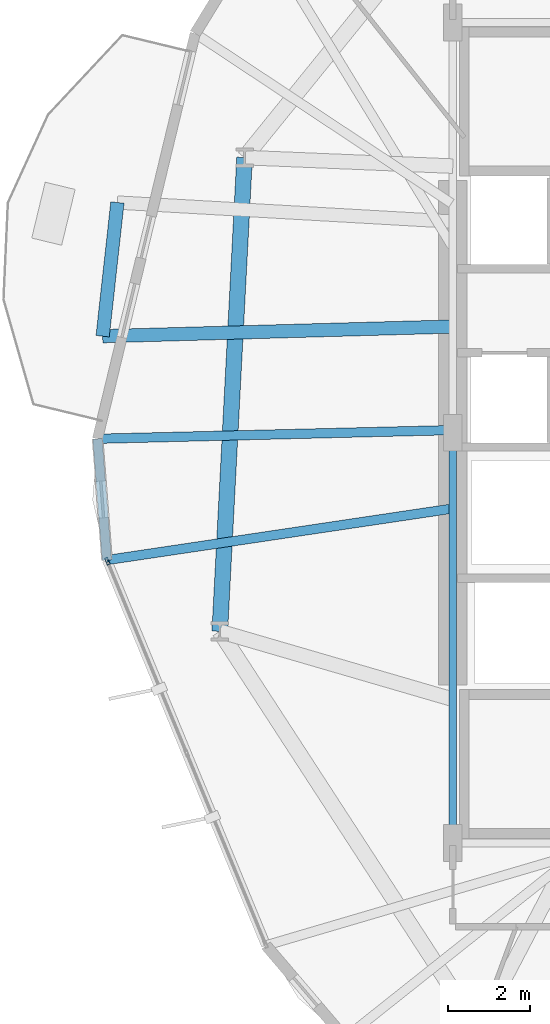
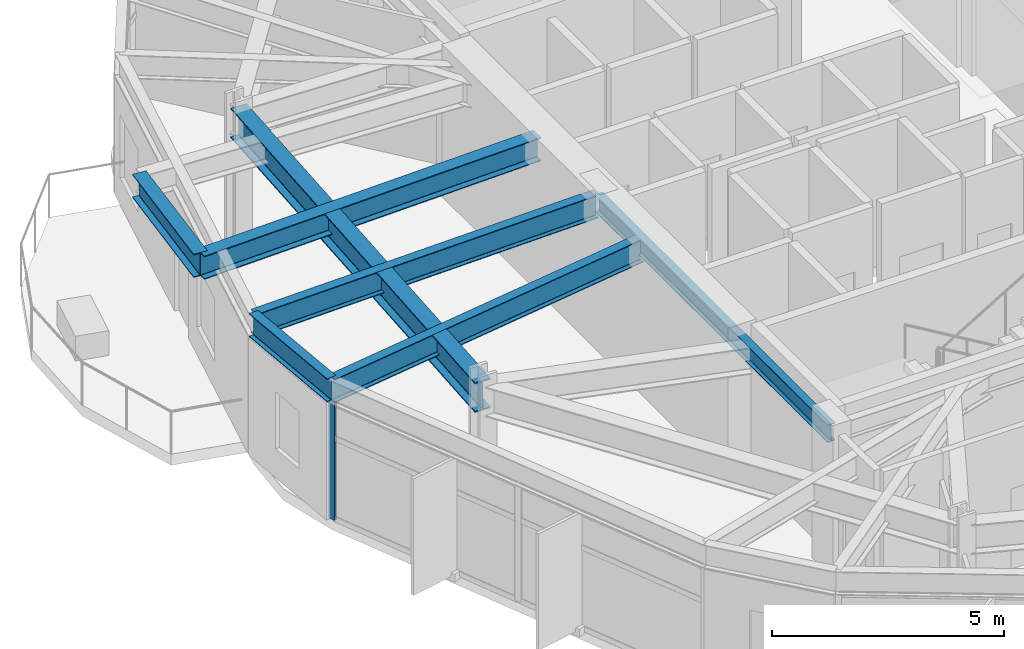
# One storey, part 7 of 22: 7 beams, 1 member, 1 element without a shape of its own.
"""IFC4 building model written with IfcOpenShell, lengths in metres."""

from ifc_helpers import new_model, si_unit, direction, frame, origin, origin_2d, place, context, subcontext, project, spatial, hollow_rectangle, i_section, extrude, material, layer, layer_set, material_profile, profile_set, type_object, element, aggregate, save


model = new_model("IFC4")

# Units and contexts
model_context = context("Model", 3, precision=1e-05, world=origin(), true_north=direction((0.0, 1.0)))
body_context = subcontext(model_context, "Body", "Model", "MODEL_VIEW")
ifc_project = project(units=[si_unit("LENGTHUNIT", "METRE"), si_unit("AREAUNIT", "SQUARE_METRE"), si_unit("VOLUMEUNIT", "CUBIC_METRE"), si_unit("PLANEANGLEUNIT", "RADIAN"), si_unit("MASSUNIT", "GRAM", prefix="KILO")], contexts=[model_context])

# Site, building, storey
site_placement = place(None, origin())
site = spatial("IfcSite", under=ifc_project, at=site_placement, CompositionType="ELEMENT")
building_placement = place(site_placement, origin())
building = spatial("IfcBuilding", under=site, at=building_placement, Name="Soratama Intermodal Tower", CompositionType="ELEMENT")
storey_placement = place(building_placement, frame((0.0, 0.0, 50.60009765625)))
storey = spatial("IfcBuildingStorey", under=building, at=storey_placement, Name="L11", CompositionType="ELEMENT", Elevation=50.60009765625)

# Beams
ifc_material_1 = material(Name="Structural steel ASTM A992 Grade 50", Category="steel")
ifc_material_profile_1 = material_profile(ifc_material_1, i_section(OverallWidth=0.324951171875, OverallDepth=0.615966796875, WebThickness=0.013916015625, FlangeThickness=0.021484375, FilletRadius=0.013916015625, at=origin_2d()), Name="W24X117")
ifc_profile_set_1 = profile_set([ifc_material_profile_1], Name="Structural steel ASTM A992 Grade 50")
beam_type_1 = type_object("IfcBeamType", Name="BM-CANT-W24X117", PredefinedType="BEAM", material=ifc_profile_set_1)
beam_1_placement = place(storey_placement, frame((24.422119140625, 30.612060546875, 3.391845703125), z_axis=(-0.109826754754, -0.993950745228, 0.0), x_axis=(0.993950745228, -0.109826754754, 0.0)))
element("IfcBeam", 1, at=beam_1_placement, inside=storey, type_object=beam_type_1, Name="BM-L11-CBHDR-2", PredefinedType="BEAM", context=body_context, shape_type="SweptSolid", body=[
    extrude(i_section(OverallWidth=0.324951171875, OverallDepth=0.615966796875, WebThickness=0.013916015625, FlangeThickness=0.021484375, FilletRadius=0.013916015625, at=origin_2d()), origin(), (0.0, 0.0, 1.0), 3.27880859375),
])
beam_2_placement = place(storey_placement, frame((32.56005859375, 27.587890625, 3.391845703125), z_axis=(-0.999618307785, -0.027626775801, 0.0), x_axis=(0.027626775801, -0.999618307785, 0.0)))
element("IfcBeam", 2, at=beam_2_placement, inside=storey, type_object=beam_type_1, Name="BM-L11-CANT-2-2", PredefinedType="BEAM", context=body_context, shape_type="SweptSolid", body=[
    extrude(i_section(OverallWidth=0.324951171875, OverallDepth=0.615966796875, WebThickness=0.013916015625, FlangeThickness=0.021484375, FilletRadius=0.013916015625, at=origin_2d()), origin(), (0.0, 0.0, 1.0), 8.501220703125),
])
ifc_material_2 = material(Name="Structural steel ASTM A992 Grade 50", Category="steel")
ifc_material_profile_2 = material_profile(ifc_material_2, i_section(OverallWidth=0.19091796875, OverallDepth=0.4599609375, WebThickness=0.010009765625, FlangeThickness=0.01611328125, FilletRadius=0.010986328125, at=origin_2d()), Name="W18X55")
ifc_profile_set_2 = profile_set([ifc_material_profile_2], Name="Structural steel ASTM A992 Grade 50")
beam_type_2 = type_object("IfcBeamType", Name="BM-FLR-W18X55", PredefinedType="BEAM", material=ifc_profile_set_2)
beam_3_placement = place(storey_placement, frame((32.60009765625, 25.0, 3.469970703125), z_axis=(0.0, -1.0, 0.0), x_axis=(1.0, 0.0, 0.0)))
element("IfcBeam", 3, at=beam_3_placement, inside=storey, type_object=beam_type_2, Name="BM-L11-CRING-09", PredefinedType="BEAM", context=body_context, shape_type="SweptSolid", body=[
    extrude(i_section(OverallWidth=0.19091796875, OverallDepth=0.4599609375, WebThickness=0.010009765625, FlangeThickness=0.01611328125, FilletRadius=0.010986328125, at=origin_2d()), origin(), (0.0, 0.0, 1.0), 10.0),
])
ifc_material_3 = material(Name="Structural steel ASTM A992 Grade 50", Category="steel")
ifc_material_profile_3 = material_profile(ifc_material_3, i_section(OverallWidth=0.382080078125, OverallDepth=0.779052734375, WebThickness=0.01806640625, FlangeThickness=0.030029296875, FilletRadius=0.01806640625, at=origin_2d()), Name="W30X191")
ifc_profile_set_3 = profile_set([ifc_material_profile_3], Name="Structural steel ASTM A992 Grade 50")
beam_type_3 = type_object("IfcBeamType", Name="BM-RING-W30X191", PredefinedType="BEAM", material=ifc_profile_set_3)
beam_4_placement = place(storey_placement, frame((27.52294921875, 31.708984375, 3.310302734375), z_axis=(-0.052289698717, -0.998631957935, 0.0), x_axis=(0.998631957935, -0.052289698717, 0.0)))
element("IfcBeam", 4, at=beam_4_placement, inside=storey, type_object=beam_type_3, Name="BM-L11-RING-05", PredefinedType="BEAM", context=body_context, shape_type="SweptSolid", body=[
    extrude(i_section(OverallWidth=0.382080078125, OverallDepth=0.779052734375, WebThickness=0.01806640625, FlangeThickness=0.030029296875, FilletRadius=0.01806640625, at=origin_2d()), origin(), (0.0, 0.0, 1.0), 11.56982421875),
])
ifc_material_4 = material(Name="Structural steel ASTM A992 Grade 50", Category="steel")
ifc_material_profile_4 = material_profile(ifc_material_4, i_section(OverallWidth=0.22900390625, OverallDepth=0.612060546875, WebThickness=0.011962890625, FlangeThickness=0.01953125, FilletRadius=0.012939453125, at=origin_2d()), Name="W24X84")
ifc_profile_set_4 = profile_set([ifc_material_profile_4], Name="Structural steel ASTM A992 Grade 50")
beam_type_4 = type_object("IfcBeamType", Name="BM-SPN-W24X84", PredefinedType="SPANDREL", material=ifc_profile_set_4)
beam_5_placement = place(storey_placement, frame((23.93603515625, 24.85205078125, 3.393798828125), z_axis=(0.077212660033, -0.997014646397, 0.0), x_axis=(0.997014646397, 0.077212660033, 0.0)))
element("IfcBeam", 5, at=beam_5_placement, inside=storey, type_object=beam_type_4, Name="BS-L11-CRN05", PredefinedType="SPANDREL", context=body_context, shape_type="SweptSolid", body=[
    extrude(i_section(OverallWidth=0.22900390625, OverallDepth=0.612060546875, WebThickness=0.011962890625, FlangeThickness=0.01953125, FilletRadius=0.012939453125, at=origin_2d()), origin(), (0.0, 0.0, 1.0), 2.9658203125),
])
ifc_material_5 = material(Name="Structural steel ASTM A992 Grade 50", Category="steel")
ifc_material_profile_5 = material_profile(ifc_material_5, i_section(OverallWidth=0.22900390625, OverallDepth=0.612060546875, WebThickness=0.011962890625, FlangeThickness=0.01953125, FilletRadius=0.012939453125, at=origin_2d()), Name="W24X84")
ifc_profile_set_5 = profile_set([ifc_material_profile_5], Name="Structural steel ASTM A992 Grade 50")
beam_type_5 = type_object("IfcBeamType", Name="BM-TIE-W24X84", PredefinedType="BEAM", material=ifc_profile_set_5)
beam_6_placement = place(storey_placement, frame((32.56005859375, 25.06298828125, 3.393798828125), z_axis=(-0.999701005688, -0.024451977945, 0.0), x_axis=(0.024451977945, -0.999701005688, 0.0)))
element("IfcBeam", 6, at=beam_6_placement, inside=storey, type_object=beam_type_5, Name="BM-L11-TIE1-05", PredefinedType="BEAM", context=body_context, shape_type="SweptSolid", body=[
    extrude(i_section(OverallWidth=0.22900390625, OverallDepth=0.612060546875, WebThickness=0.011962890625, FlangeThickness=0.01953125, FilletRadius=0.012939453125, at=origin_2d()), origin(), (0.0, 0.0, 1.0), 8.626708984375),
])
beam_7_placement = place(storey_placement, frame((32.56005859375, 23.14599609375, 3.393798828125), z_axis=(-0.989078939465, -0.147386741285, 0.0), x_axis=(0.147386741285, -0.989078939465, 0.0)))
element("IfcBeam", 7, at=beam_7_placement, inside=storey, type_object=beam_type_5, Name="BM-L11-TIE0-06", PredefinedType="BEAM", context=body_context, shape_type="SweptSolid", body=[
    extrude(i_section(OverallWidth=0.22900390625, OverallDepth=0.612060546875, WebThickness=0.011962890625, FlangeThickness=0.01953125, FilletRadius=0.012939453125, at=origin_2d()), origin(), (0.0, 0.0, 1.0), 8.48779296875),
])

# Curtain wall, member
ifc_material_6 = material(Name="Double-glazed aluminium curtain wall", Category="aluminium")
ifc_layer = layer(ifc_material_6, 0.159912109375)
ifc_layer_set = layer_set([ifc_layer], Name="Double-glazed aluminium curtain wall")
curtain_wall_type = type_object("IfcCurtainWallType", Name="CW-SYS-2", PredefinedType="NOTDEFINED", material=ifc_layer_set)
curtain_wall_placement = place(storey_placement, origin())
curtain_wall = element("IfcCurtainWall", 8, at=curtain_wall_placement, inside=storey, type_object=curtain_wall_type, Name="L11 Faceted Curtain Wall F06", PredefinedType="NOTDEFINED")
ifc_material_7 = material(Name="Anodised aluminium AA 6063-T6", Category="aluminium")
ifc_material_profile_6 = material_profile(ifc_material_7, hollow_rectangle(XDim=0.074951171875, YDim=0.179931640625, WallThickness=0.006103515625, InnerFilletRadius=0.006103515625, OuterFilletRadius=0.011962890625, at=origin_2d()), Name="CWM180X75X6")
ifc_profile_set_6 = profile_set([ifc_material_profile_6], Name="Anodised aluminium AA 6063-T6")
member_type = type_object("IfcMemberType", Name="MT-CWM-2", PredefinedType="MULLION", material=ifc_profile_set_6)
member_placement = place(storey_placement, frame((24.176513671875, 21.86669921875, 0.0), z_axis=(0.0, 0.0, 1.0), x_axis=(0.924277045689, 0.381722337323, 0.0)))
member = element("IfcMember", 9, at=member_placement, type_object=member_type, Name="CW-2 mullion 1", PredefinedType="MULLION", context=body_context, shape_type="SweptSolid", body=[
    extrude(hollow_rectangle(XDim=0.074951171875, YDim=0.179931640625, WallThickness=0.006103515625, InnerFilletRadius=0.006103515625, OuterFilletRadius=0.011962890625, at=origin_2d()), origin(), (0.0, 0.0, 1.0), 3.078857421875),
])
aggregate(curtain_wall, [member])

save(model, "model.ifc")
